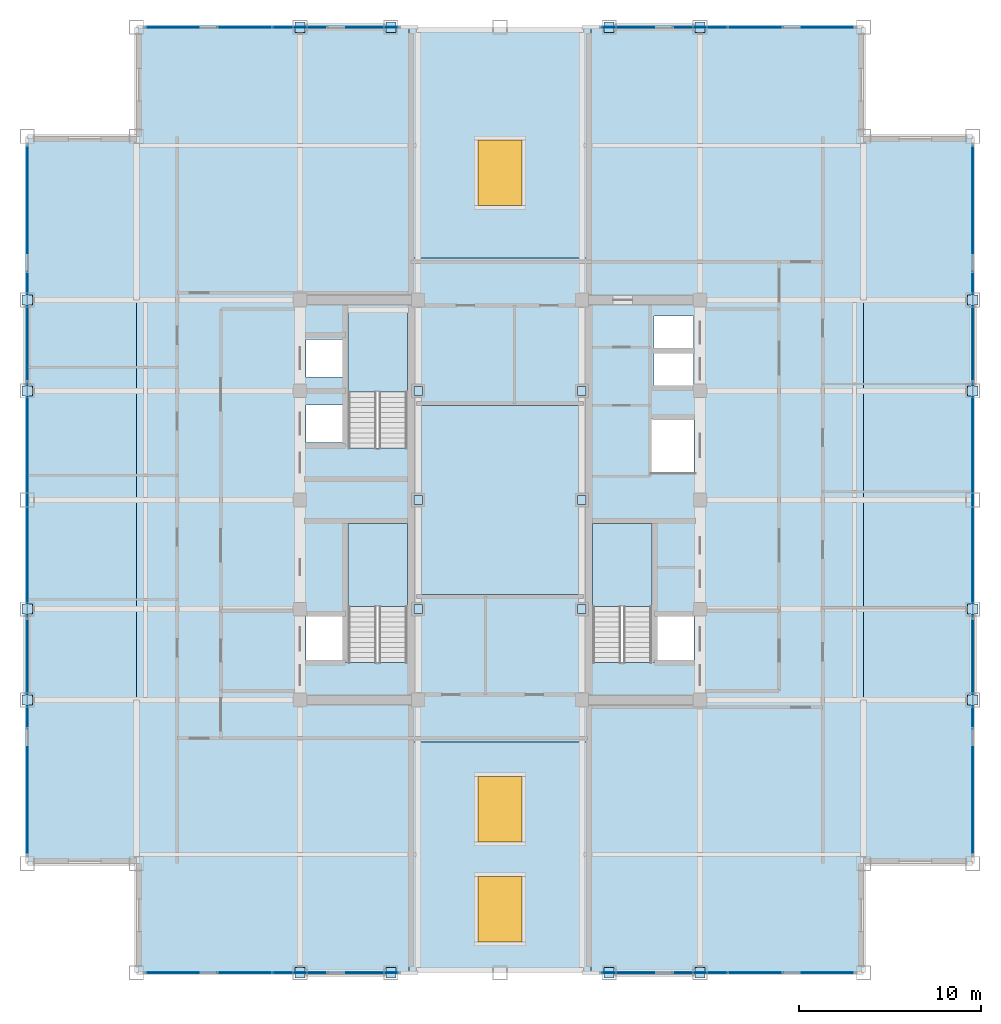
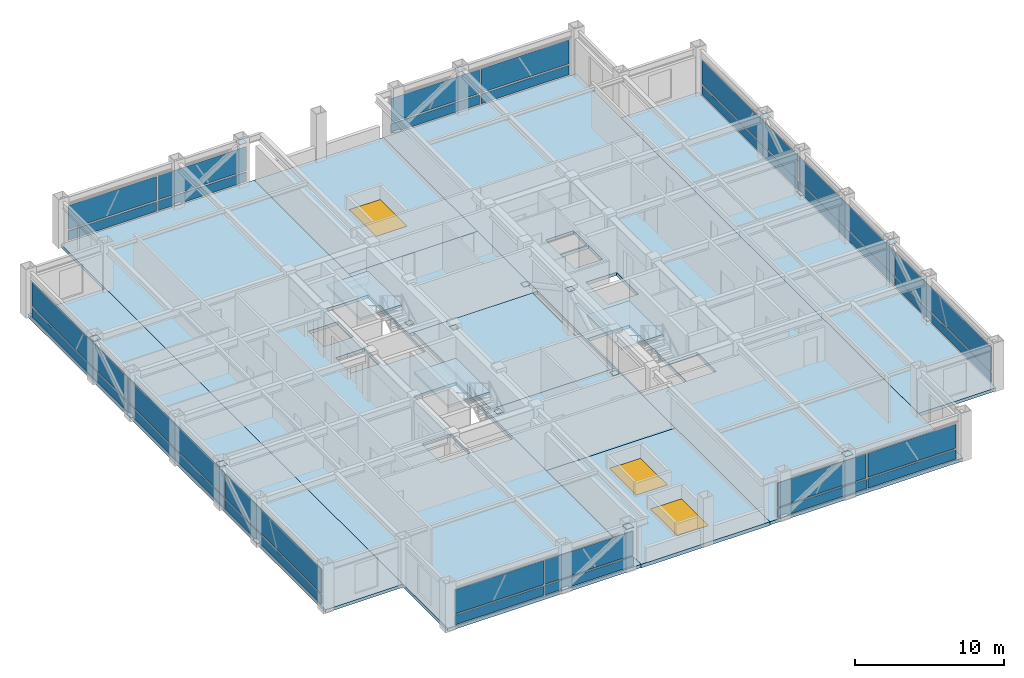
# One storey, part 24 of 29: 50 plates, 12 slabs, 3 windows, 3 openings, 9 elements without a shape of their own.
"""IFC4 building model written with IfcOpenShell, lengths in metres."""

import ifcopenshell
import ifcopenshell.guid

model = None  # the IFC model being written
_history = None  # IfcOwnerHistory: only IFC2X3 demands one
_inside = {}  # id of a spatial element -> (the spatial element, [elements in it])
_under = {}  # id of a project, library or spatial element -> (it, [spatial elements below it])
_declared = {}  # id of a project -> (the project, [libraries it declares])
_typed = {}  # id of a type object -> (the type object, [elements of that type])
_made_of = {}  # id of a material, layer set ... -> (it, [elements and type objects made of it])


def new_model(schema):
    """Start an empty IFC model of exactly this schema.

    Asked for "IFC4X3", IfcOpenShell would pick the latest addendum, in which some entities
    have other attributes; the version numbers below select the first issue.
    IFC2X3 requires an IfcOwnerHistory on every rooted entity: one is made here for all.
    """
    global model, _history
    if schema == "IFC4X3":
        model = ifcopenshell.file(schema_version=(4, 3, 0, 0))
    else:
        model = ifcopenshell.file(schema=schema)
    _inside.clear()
    _under.clear()
    _declared.clear()
    _typed.clear()
    _made_of.clear()
    _history = None
    if model.schema == "IFC2X3":
        org = make("IfcOrganization", Name="unknown")
        user = make(
            "IfcPersonAndOrganization",
            ThePerson=make("IfcPerson", FamilyName="unknown"),
            TheOrganization=org,
        )
        app = make(
            "IfcApplication",
            ApplicationDeveloper=org,
            Version="unknown",
            ApplicationFullName="unknown",
            ApplicationIdentifier="unknown",
        )
        _history = make(
            "IfcOwnerHistory",
            OwningUser=user,
            OwningApplication=app,
            ChangeAction="ADDED",
            CreationDate=0,
        )
    return model


def make(cls, **values):
    """One entity of the class cls with the attributes given. An attribute that is None is left unset."""
    return model.create_entity(
        cls, **{name: value for name, value in values.items() if value is not None}
    )


def rooted(cls, **values):
    """An entity with a GlobalId (a new one), such as an element, a storey or a relation."""
    return make(cls, GlobalId=ifcopenshell.guid.new(), OwnerHistory=_history, **values)


def si_unit(unit_type, name, prefix=None):
    """IfcSIUnit, for example si_unit("LENGTHUNIT", "METRE", prefix="MILLI")."""
    return make("IfcSIUnit", UnitType=unit_type, Prefix=prefix, Name=name)


def assignment(units):
    """IfcUnitAssignment: the units of a project."""
    return None if units is None else make("IfcUnitAssignment", Units=units)


def point(xyz):
    """IfcCartesianPoint."""
    return None if xyz is None else make("IfcCartesianPoint", Coordinates=xyz)


def direction(xyz):
    """IfcDirection."""
    return None if xyz is None else make("IfcDirection", DirectionRatios=xyz)


def frame(location, z_axis=None, x_axis=None):
    """IfcAxis2Placement3D, a coordinate frame: its origin and axes. An axis left out is left unset."""
    return make(
        "IfcAxis2Placement3D",
        Location=point(location),
        Axis=direction(z_axis),
        RefDirection=direction(x_axis),
    )


def frame_2d(location, x_axis=None):
    """IfcAxis2Placement2D, a coordinate frame in the plane: its origin and x axis."""
    return make(
        "IfcAxis2Placement2D", Location=point(location), RefDirection=direction(x_axis)
    )


def origin():
    """The frame at (0, 0, 0) with its axes left unset."""
    return frame((0.0, 0.0, 0.0))


def origin_2d():
    """The frame at (0, 0) in the plane with its x axis left unset."""
    return frame_2d((0.0, 0.0))


def place(relative_to, where):
    """IfcLocalPlacement: puts the frame where relative to a parent placement (None: the world)."""
    return make(
        "IfcLocalPlacement", PlacementRelTo=relative_to, RelativePlacement=where
    )


def context(
    kind, dimensions, precision=None, world=None, true_north=None, identifier=None
):
    """IfcGeometricRepresentationContext, for example the 3D "Model" context."""
    return make(
        "IfcGeometricRepresentationContext",
        ContextIdentifier=identifier,
        ContextType=kind,
        CoordinateSpaceDimension=dimensions,
        Precision=precision,
        WorldCoordinateSystem=world,
        TrueNorth=true_north,
    )


def subcontext(parent, identifier, kind, view, scale=None):
    """IfcGeometricRepresentationSubContext, for example "Body" below "Model"."""
    return make(
        "IfcGeometricRepresentationSubContext",
        ContextIdentifier=identifier,
        ContextType=kind,
        ParentContext=parent,
        TargetScale=scale,
        TargetView=view,
    )


def project(units=None, contexts=None):
    """IfcProject with its units and contexts."""
    return rooted(
        "IfcProject",
        Name="project",
        RepresentationContexts=contexts,
        UnitsInContext=assignment(units),
    )


def spatial(cls, under=None, at=None, **own):
    """A site, building, storey or space (cls), placed at a placement, below another one or the project."""
    s = rooted(cls, ObjectPlacement=at, **own)
    if under is not None:
        _under.setdefault(under.id(), (under, []))[1].append(s)
    return s


def polyline(points):
    """IfcPolyline through the points."""
    return make("IfcPolyline", Points=[point(p) for p in points])


def profile(cls, at=None, kind="AREA", **sizes):
    """A parametric profile (cls). Its sizes go by their IFC names, for example OverallWidth=200.0."""
    return make(cls, ProfileType=kind, Position=at, **sizes)


def rectangle(**sizes):
    """IfcRectangleProfileDef."""
    return profile("IfcRectangleProfileDef", **sizes)


def outline(outer, holes=None, kind="AREA"):
    """IfcArbitraryClosedProfileDef: a profile drawn as a closed curve; with holes, ...WithVoids."""
    if holes is None:
        return make("IfcArbitraryClosedProfileDef", ProfileType=kind, OuterCurve=outer)
    return make(
        "IfcArbitraryProfileDefWithVoids",
        ProfileType=kind,
        OuterCurve=outer,
        InnerCurves=holes,
    )


def extrude(swept, where, along, depth):
    """IfcExtrudedAreaSolid: the profile swept, set in the frame where, extruded along a direction by depth."""
    return make(
        "IfcExtrudedAreaSolid",
        SweptArea=swept,
        Position=where,
        ExtrudedDirection=direction(along),
        Depth=depth,
    )


def shape(context_of_items, identifier, shape_type, items):
    """IfcShapeRepresentation: the items that make up one representation, for example the "Body"."""
    return make(
        "IfcShapeRepresentation",
        ContextOfItems=context_of_items,
        RepresentationIdentifier=identifier,
        RepresentationType=shape_type,
        Items=items,
    )


def source(mapping_origin, context_of_items, identifier, shape_type, items):
    """IfcRepresentationMap: a shape defined once, which mapped items show again and again."""
    return make(
        "IfcRepresentationMap",
        MappingOrigin=mapping_origin,
        MappedRepresentation=shape(context_of_items, identifier, shape_type, items),
    )


def transform(
    local_origin,
    x_axis=None,
    y_axis=None,
    z_axis=None,
    scale=None,
    scale2=None,
    scale3=None,
    uniform=True,
):
    """IfcCartesianTransformationOperator3D, or its non-uniform kind. x_axis, y_axis, z_axis: its Axis1, 2, 3."""
    if uniform:
        return make(
            "IfcCartesianTransformationOperator3D",
            Axis1=direction(x_axis),
            Axis2=direction(y_axis),
            LocalOrigin=point(local_origin),
            Scale=scale,
            Axis3=direction(z_axis),
        )
    return make(
        "IfcCartesianTransformationOperator3DnonUniform",
        Axis1=direction(x_axis),
        Axis2=direction(y_axis),
        LocalOrigin=point(local_origin),
        Scale=scale,
        Axis3=direction(z_axis),
        Scale2=scale2,
        Scale3=scale3,
    )


def mapped(mapping_source, mapping_target):
    """IfcMappedItem: shows the shape of a source again, moved by a transform."""
    return make(
        "IfcMappedItem", MappingSource=mapping_source, MappingTarget=mapping_target
    )


def material(Name=None, Category=None):
    """IfcMaterial."""
    return make("IfcMaterial", Name=Name, Category=Category)


def layer(
    of_material, thickness, ventilated=None, Name=None, Category=None, Priority=None
):
    """IfcMaterialLayer: one layer of a wall or slab, of a material (None: an air gap)."""
    return make(
        "IfcMaterialLayer",
        Material=of_material,
        LayerThickness=thickness,
        IsVentilated=ventilated,
        Name=Name,
        Category=Category,
        Priority=Priority,
    )


def layer_set(layers, Name=None):
    """IfcMaterialLayerSet."""
    return make("IfcMaterialLayerSet", MaterialLayers=layers, LayerSetName=Name)


def made_of(thing, what):
    """Note that an element or type object is made of a material, layer set ...; save() writes the relation."""
    if what is not None:
        _made_of.setdefault(what.id(), (what, []))[1].append(thing)
    return thing


def type_object(cls, material=None, **own):
    """A type object (cls), such as IfcWallType, which elements share."""
    return made_of(rooted(cls, **own), material)


def element(
    cls,
    number,
    at=None,
    inside=None,
    cuts=None,
    type_object=None,
    material=None,
    context=None,
    identifier="Body",
    shape_type=None,
    held_by="IfcProductDefinitionShape",
    body=None,
    shapes=None,
    **own,
):
    """One element of the class cls, such as IfcWall. Its Tag is "e" and its number.

    at: its placement. inside: the storey or other place that contains it. cuts: it is an
    opening in that element (IfcRelVoidsElement). A single representation is given by context,
    identifier, shape_type and body (its items); several are given by shapes. held_by: the class
    of the entity that holds the representations. save() writes the other relations.
    """
    e = rooted(cls, Tag="e%d" % number, ObjectPlacement=at, **own)
    if body is not None:
        shapes = [shape(context, identifier, shape_type, body)]
    if shapes is not None:
        e.Representation = make(held_by, Representations=shapes)
    if inside is not None:
        _inside.setdefault(inside.id(), (inside, []))[1].append(e)
    if cuts is not None:
        rooted(
            "IfcRelVoidsElement", RelatingBuildingElement=cuts, RelatedOpeningElement=e
        )
    if type_object is not None:
        _typed.setdefault(type_object.id(), (type_object, []))[1].append(e)
    return made_of(e, material)


def fill(opening, filler):
    """IfcRelFillsElement: the door or window that sits in an opening."""
    return rooted(
        "IfcRelFillsElement",
        RelatingOpeningElement=opening,
        RelatedBuildingElement=filler,
    )


def aggregate(whole, parts):
    """IfcRelAggregates: a whole, such as a stair, and the parts it consists of."""
    return rooted("IfcRelAggregates", RelatingObject=whole, RelatedObjects=parts)


def save(model, path):
    """Write the relations noted so far, then the file.

    IfcRelAggregates (storeys below a building ...), IfcRelContainedInSpatialStructure (elements
    in a storey), IfcRelDefinesByType, IfcRelAssociatesMaterial and IfcRelDeclares: one each for
    every whole, place, type object, material and project.
    """
    for whole, parts in _under.values():
        aggregate(whole, parts)
    for where, things in _inside.values():
        rooted(
            "IfcRelContainedInSpatialStructure",
            RelatedElements=things,
            RelatingStructure=where,
        )
    for kind, things in _typed.values():
        rooted("IfcRelDefinesByType", RelatedObjects=things, RelatingType=kind)
    for what, things in _made_of.values():
        rooted("IfcRelAssociatesMaterial", RelatedObjects=things, RelatingMaterial=what)
    for by, libraries in _declared.values():
        rooted("IfcRelDeclares", RelatingContext=by, RelatedDefinitions=libraries)
    model.write(path)


model = new_model("IFC4")

# Units and contexts
model_context = context("Model", 3, precision=1e-05, world=origin(), true_north=direction((0.0, 1.0)))
body_context = subcontext(model_context, "Body", "Model", "MODEL_VIEW")
ifc_project = project(units=[si_unit("LENGTHUNIT", "METRE"), si_unit("AREAUNIT", "SQUARE_METRE"), si_unit("VOLUMEUNIT", "CUBIC_METRE"), si_unit("PLANEANGLEUNIT", "RADIAN"), si_unit("MASSUNIT", "GRAM", prefix="KILO")], contexts=[model_context])

# Site, building, storey
site_placement = place(None, origin())
site = spatial("IfcSite", under=ifc_project, at=site_placement, CompositionType="ELEMENT")
building_placement = place(site_placement, origin())
building = spatial("IfcBuilding", under=site, at=building_placement, Name="Khorayat Bourse Tower", CompositionType="ELEMENT")
storey_placement = place(building_placement, frame((0.0, 0.0, 346.300048828125)))
storey = spatial("IfcBuildingStorey", under=building, at=storey_placement, Name="L82", CompositionType="ELEMENT", Elevation=346.300048828125)

# Stair, slab
ifc_material_1 = material(Name="Concrete C40/50", Category="concrete")
stair_type = type_object("IfcStairType", Name="STR-CORE-1550", PredefinedType="HALF_TURN_STAIR", material=ifc_material_1)
stair_1_placement = place(storey_placement, origin())
stair_1 = element("IfcStair", 1, at=stair_1_placement, inside=storey, type_object=stair_type, Name="L82 Exit Stair ST-1", PredefinedType="HALF_TURN_STAIR")
ifc_layer_1 = layer(ifc_material_1, 0.199951171875)
ifc_layer_set_1 = layer_set([ifc_layer_1], Name="Concrete C40/50")
slab_type_1 = type_object("IfcSlabType", Name="SLB-LANDING-200", PredefinedType="LANDING", material=ifc_layer_set_1)
slab_1_placement = place(storey_placement, frame((0.0, 0.0, 1.800048828125)))
slab_1 = element("IfcSlab", 2, at=slab_1_placement, type_object=slab_type_1, Name="ST-1 landing 1", PredefinedType="LANDING", context=body_context, shape_type="SweptSolid", body=[
    extrude(outline(polyline([(-5.10009765625, -5.8701171875), (-5.10009765625, -1.300048828125), (-8.35009765625, -1.300048828125), (-8.35009765625, -5.8701171875), (-5.10009765625, -5.8701171875)])), origin(), (0.0, 0.0, 1.0), 0.199951171875),
])
aggregate(stair_1, [slab_1])

stair_2_placement = place(storey_placement, origin())
stair_2 = element("IfcStair", 3, at=stair_2_placement, inside=storey, type_object=stair_type, Name="L82 Exit Stair ST-2", PredefinedType="HALF_TURN_STAIR")
slab_2_placement = place(storey_placement, frame((0.0, 0.0, 1.800048828125)))
slab_2 = element("IfcSlab", 4, at=slab_2_placement, type_object=slab_type_1, Name="ST-2 landing 1", PredefinedType="LANDING", context=body_context, shape_type="SweptSolid", body=[
    extrude(outline(polyline([(-5.10009765625, 5.929931640625), (-5.10009765625, 10.5), (-8.35009765625, 10.5), (-8.35009765625, 5.929931640625), (-5.10009765625, 5.929931640625)])), origin(), (0.0, 0.0, 1.0), 0.199951171875),
])
aggregate(stair_2, [slab_2])

stair_3_placement = place(storey_placement, origin())
stair_3 = element("IfcStair", 5, at=stair_3_placement, inside=storey, type_object=stair_type, Name="L82 Exit Stair ST-3", PredefinedType="HALF_TURN_STAIR")
slab_3_placement = place(storey_placement, frame((0.0, 0.0, 1.800048828125)))
slab_3 = element("IfcSlab", 6, at=slab_3_placement, type_object=slab_type_1, Name="ST-3 landing 1", PredefinedType="LANDING", context=body_context, shape_type="SweptSolid", body=[
    extrude(outline(polyline([(8.35009765625, -5.8701171875), (8.35009765625, -1.300048828125), (5.10009765625, -1.300048828125), (5.10009765625, -5.8701171875), (8.35009765625, -5.8701171875)])), origin(), (0.0, 0.0, 1.0), 0.199951171875),
])
aggregate(stair_3, [slab_3])

# Slab, openings, windows
ifc_layer_2 = layer(ifc_material_1, 0.300048828125)
ifc_layer_set_2 = layer_set([ifc_layer_2], Name="Concrete C40/50")
slab_type_2 = type_object("IfcSlabType", Name="SLB-ROOF-300", PredefinedType="ROOF", material=ifc_layer_set_2)
slab_4_placement = place(storey_placement, frame((0.0, 0.0, -0.300048828125)))
slab_4 = element("IfcSlab", 7, at=slab_4_placement, inside=storey, type_object=slab_type_2, Name="L82 Wind Portal Weatherproof Base Deck Slab S", PredefinedType="ROOF", context=body_context, shape_type="SweptSolid", body=[
    extrude(outline(polyline([(-5.0, -26.0), (5.0, -26.0), (5.0, -13.300048828125), (-5.0, -13.300048828125), (-5.0, -26.0)]), holes=[polyline([(-1.199951171875, -24.300048828125), (1.199951171875, -24.300048828125), (1.199951171875, -20.699951171875), (-1.199951171875, -20.699951171875), (-1.199951171875, -24.300048828125)]), polyline([(-1.199951171875, -18.800048828125), (1.199951171875, -18.800048828125), (1.199951171875, -15.199951171875), (-1.199951171875, -15.199951171875), (-1.199951171875, -18.800048828125)])]), origin(), (0.0, 0.0, 1.0), 0.300048828125),
])
opening_1_placement = place(slab_4_placement, frame((0.0, -22.5, 0.0)))
opening_1 = element("IfcOpeningElement", 8, at=opening_1_placement, cuts=slab_4, Name="Opening SK-02", PredefinedType="OPENING", context=body_context, shape_type="SweptSolid", body=[
    extrude(rectangle(XDim=2.39990234375, YDim=3.60009765625, at=origin_2d()), origin(), (0.0, 0.0, 1.0), 0.300048828125),
])
opening_2_placement = place(slab_4_placement, frame((0.0, -17.0, 0.0)))
opening_2 = element("IfcOpeningElement", 9, at=opening_2_placement, cuts=slab_4, Name="Opening SK-02", PredefinedType="OPENING", context=body_context, shape_type="SweptSolid", body=[
    extrude(rectangle(XDim=2.39990234375, YDim=3.60009765625, at=origin_2d()), origin(), (0.0, 0.0, 1.0), 0.300048828125),
])
ifc_material_2 = material(Name="Ceramic-fritted insulated rooflight glass", Category="glass")
window_type = type_object("IfcWindowType", Name="SKY-TERR-2400x3600", PartitioningType="SINGLE_PANEL", PredefinedType="SKYLIGHT", material=ifc_material_2)
window_1_placement = place(opening_1_placement, frame((0.0, 0.0, 0.25)))
window_1 = element("IfcWindow", 10, at=window_1_placement, inside=storey, type_object=window_type, Name="L82 Roof Lantern Skylight SKY-ROOF-W", OverallHeight=3.60009765625, OverallWidth=2.39990234375, PartitioningType="SINGLE_PANEL", PredefinedType="SKYLIGHT", context=body_context, shape_type="SweptSolid", body=[
    extrude(rectangle(XDim=2.39990234375, YDim=3.60009765625, at=origin_2d()), origin(), (0.0, 0.0, 1.0), 0.050048828125),
])
fill(opening_1, window_1)
window_2_placement = place(opening_2_placement, frame((0.0, 0.0, 0.25)))
window_2 = element("IfcWindow", 11, at=window_2_placement, inside=storey, type_object=window_type, Name="L82 Roof Lantern Skylight SKY-ROOF-E", OverallHeight=3.60009765625, OverallWidth=2.39990234375, PartitioningType="SINGLE_PANEL", PredefinedType="SKYLIGHT", context=body_context, shape_type="SweptSolid", body=[
    extrude(rectangle(XDim=2.39990234375, YDim=3.60009765625, at=origin_2d()), origin(), (0.0, 0.0, 1.0), 0.050048828125),
])
fill(opening_2, window_2)

# Slab
slab_5_placement = place(storey_placement, frame((0.0, 0.0, -0.300048828125)))
element("IfcSlab", 12, at=slab_5_placement, inside=storey, type_object=slab_type_2, Name="L82 Wind Portal Weatherproof Base Deck Slab M", PredefinedType="ROOF", context=body_context, shape_type="SweptSolid", body=[
    extrude(outline(polyline([(-4.60009765625, -5.199951171875), (4.60009765625, -5.199951171875), (4.60009765625, 5.199951171875), (-4.60009765625, 5.199951171875), (-4.60009765625, -5.199951171875)])), origin(), (0.0, 0.0, 1.0), 0.300048828125),
])

# Slab, opening, window
slab_6_placement = place(storey_placement, frame((0.0, 0.0, -0.300048828125)))
slab_6 = element("IfcSlab", 13, at=slab_6_placement, inside=storey, type_object=slab_type_2, Name="L82 Wind Portal Weatherproof Base Deck Slab N", PredefinedType="ROOF", context=body_context, shape_type="SweptSolid", body=[
    extrude(outline(polyline([(-5.0, 13.300048828125), (5.0, 13.300048828125), (5.0, 26.0), (-5.0, 26.0), (-5.0, 13.300048828125)]), holes=[polyline([(-1.199951171875, 16.199951171875), (1.199951171875, 16.199951171875), (1.199951171875, 19.800048828125), (-1.199951171875, 19.800048828125), (-1.199951171875, 16.199951171875)])]), origin(), (0.0, 0.0, 1.0), 0.300048828125),
])
opening_3_placement = place(slab_6_placement, frame((0.0, 18.0, 0.0)))
opening_3 = element("IfcOpeningElement", 14, at=opening_3_placement, cuts=slab_6, Name="Opening SK-02", PredefinedType="OPENING", context=body_context, shape_type="SweptSolid", body=[
    extrude(rectangle(XDim=2.39990234375, YDim=3.60009765625, at=origin_2d()), origin(), (0.0, 0.0, 1.0), 0.300048828125),
])
window_3_placement = place(opening_3_placement, frame((0.0, 0.0, 0.25)))
window_3 = element("IfcWindow", 15, at=window_3_placement, inside=storey, type_object=window_type, Name="L82 Roof Lantern Skylight SKY-ROOF-N", OverallHeight=3.60009765625, OverallWidth=2.39990234375, PartitioningType="SINGLE_PANEL", PredefinedType="SKYLIGHT", context=body_context, shape_type="SweptSolid", body=[
    extrude(rectangle(XDim=2.39990234375, YDim=3.60009765625, at=origin_2d()), origin(), (0.0, 0.0, 1.0), 0.050048828125),
])
fill(opening_3, window_3)

# Slabs
ifc_layer_3 = layer(ifc_material_1, 0.260009765625)
ifc_layer_set_3 = layer_set([ifc_layer_3], Name="Concrete C40/50")
slab_type_3 = type_object("IfcSlabType", Name="SLB-TRADE-260", PredefinedType="FLOOR", material=ifc_layer_set_3)
slab_7_placement = place(storey_placement, frame((0.0, 0.0, -0.260009765625)))
element("IfcSlab", 16, at=slab_7_placement, inside=storey, type_object=slab_type_3, Name="L82 Portal Wing Floor Slab W-MAIN", PredefinedType="FLOOR", context=body_context, shape_type="SweptSolid", body=[
    extrude(outline(polyline([(-20.0, -26.0), (-5.0, -26.0), (-5.0, 26.0), (-20.0, 26.0), (-20.0, -26.0)]), holes=[polyline([(-8.35009765625, -8.945068359375), (-5.10009765625, -8.945068359375), (-5.10009765625, -1.300048828125), (-8.35009765625, -1.300048828125), (-8.35009765625, -8.945068359375)]), polyline([(-8.35009765625, 2.85498046875), (-5.10009765625, 2.85498046875), (-5.10009765625, 10.5), (-8.35009765625, 10.5), (-8.35009765625, 2.85498046875)]), polyline([(-10.679931640625, 3.169921875), (-8.419921875, 3.169921875), (-8.419921875, 5.22998046875), (-10.679931640625, 5.22998046875), (-10.679931640625, 3.169921875)]), polyline([(-10.679931640625, 6.77001953125), (-8.419921875, 6.77001953125), (-8.419921875, 8.830078125), (-10.679931640625, 8.830078125), (-10.679931640625, 6.77001953125)]), polyline([(-10.679931640625, -8.929931640625), (-8.419921875, -8.929931640625), (-8.419921875, -6.3701171875), (-10.679931640625, -6.3701171875), (-10.679931640625, -8.929931640625)])]), origin(), (0.0, 0.0, 1.0), 0.260009765625),
])
slab_8_placement = place(storey_placement, frame((0.0, 0.0, -0.260009765625)))
element("IfcSlab", 17, at=slab_8_placement, inside=storey, type_object=slab_type_3, Name="L82 Portal Wing Floor Slab W-FLG", PredefinedType="FLOOR", context=body_context, shape_type="SweptSolid", body=[
    extrude(outline(polyline([(-26.0, -20.0), (-20.0, -20.0), (-20.0, 20.0), (-26.0, 20.0), (-26.0, -20.0)])), origin(), (0.0, 0.0, 1.0), 0.260009765625),
])
slab_9_placement = place(storey_placement, frame((0.0, 0.0, -0.260009765625)))
element("IfcSlab", 18, at=slab_9_placement, inside=storey, type_object=slab_type_3, Name="L82 Portal Wing Floor Slab E-MAIN", PredefinedType="FLOOR", context=body_context, shape_type="SweptSolid", body=[
    extrude(outline(polyline([(5.0, -26.0), (20.0, -26.0), (20.0, 26.0), (5.0, 26.0), (5.0, -26.0)]), holes=[polyline([(5.10009765625, -8.945068359375), (8.35009765625, -8.945068359375), (8.35009765625, -1.300048828125), (5.10009765625, -1.300048828125), (5.10009765625, -8.945068359375)]), polyline([(8.469970703125, 6.27001953125), (10.6298828125, 6.27001953125), (10.6298828125, 8.1298828125), (8.469970703125, 8.1298828125), (8.469970703125, 6.27001953125)]), polyline([(8.469970703125, 8.27001953125), (10.6298828125, 8.27001953125), (10.6298828125, 10.1298828125), (8.469970703125, 10.1298828125), (8.469970703125, 8.27001953125)]), polyline([(8.419921875, -8.929931640625), (10.679931640625, -8.929931640625), (10.679931640625, -6.3701171875), (8.419921875, -6.3701171875), (8.419921875, -8.929931640625)]), polyline([(8.320068359375, 1.52001953125), (10.679931640625, 1.52001953125), (10.679931640625, 4.47998046875), (8.320068359375, 4.47998046875), (8.320068359375, 1.52001953125)])]), origin(), (0.0, 0.0, 1.0), 0.260009765625),
])
slab_10_placement = place(storey_placement, frame((0.0, 0.0, -0.260009765625)))
element("IfcSlab", 19, at=slab_10_placement, inside=storey, type_object=slab_type_3, Name="L82 Portal Wing Floor Slab E-FLG", PredefinedType="FLOOR", context=body_context, shape_type="SweptSolid", body=[
    extrude(outline(polyline([(20.0, -20.0), (26.0, -20.0), (26.0, 20.0), (20.0, 20.0), (20.0, -20.0)])), origin(), (0.0, 0.0, 1.0), 0.260009765625),
])
slab_11_placement = place(storey_placement, frame((0.0, 0.0, -0.260009765625)))
element("IfcSlab", 20, at=slab_11_placement, inside=storey, type_object=slab_type_3, Name="L82 Portal Wing Floor Slab BRG-S", PredefinedType="FLOOR", context=body_context, shape_type="SweptSolid", body=[
    extrude(outline(polyline([(-5.0, -13.300048828125), (5.0, -13.300048828125), (5.0, -5.199951171875), (-5.0, -5.199951171875), (-5.0, -13.300048828125)])), origin(), (0.0, 0.0, 1.0), 0.260009765625),
])
slab_12_placement = place(storey_placement, frame((0.0, 0.0, -0.260009765625)))
element("IfcSlab", 21, at=slab_12_placement, inside=storey, type_object=slab_type_3, Name="L82 Portal Wing Floor Slab BRG-N", PredefinedType="FLOOR", context=body_context, shape_type="SweptSolid", body=[
    extrude(outline(polyline([(-5.0, 5.199951171875), (5.0, 5.199951171875), (5.0, 13.300048828125), (-5.0, 13.300048828125), (-5.0, 5.199951171875)])), origin(), (0.0, 0.0, 1.0), 0.260009765625),
])

# Plates
ifc_material_3 = material(Name="Steel EN 10025-2 S355J2", Category="steel")
ifc_layer_4 = layer(ifc_material_3, 0.02490234375)
ifc_layer_set_4 = layer_set([ifc_layer_4], Name="Steel EN 10025-2 S355J2")
plate_type_1 = type_object("IfcPlateType", Name="PLT-ENDCAP-25", PredefinedType="SHEET", material=ifc_layer_set_4)
shared_shape_1 = source(origin(), body_context, "Body", "SweptSolid", [
    extrude(rectangle(XDim=0.56005859375, YDim=0.56005859375, at=origin_2d()), origin(), (0.0, 0.0, 1.0), 0.02490234375),
])
for number, where, z_axis, x_axis, name in (
    (22, (-11.0, -26.0, 0.237548828125), (0.0, 0.0, 1.0), (1.0, 0.0, 0.0), "L82 Perimeter Brace End Plate 001"),
    (23, (-6.0, -26.0, 3.4775390625), (0.0, 0.0, 1.0), (1.0, 0.0, 0.0), "L82 Perimeter Brace End Plate 002"),
    (24, (6.0, -26.0, 0.237548828125), (0.0, 0.0, 1.0), (1.0, 0.0, 0.0), "L82 Perimeter Brace End Plate 003"),
    (25, (11.0, -26.0, 3.4775390625), (0.0, 0.0, 1.0), (1.0, 0.0, 0.0), "L82 Perimeter Brace End Plate 004"),
    (26, (-11.0, 26.0, 0.237548828125), (0.0, 0.0, 1.0), (1.0, 0.0, 0.0), "L82 Perimeter Brace End Plate 005"),
    (27, (-6.0, 26.0, 3.4775390625), (0.0, 0.0, 1.0), (1.0, 0.0, 0.0), "L82 Perimeter Brace End Plate 006"),
    (28, (6.0, 26.0, 0.237548828125), (0.0, 0.0, 1.0), (1.0, 0.0, 0.0), "L82 Perimeter Brace End Plate 007"),
    (29, (11.0, 26.0, 3.4775390625), (0.0, 0.0, 1.0), (1.0, 0.0, 0.0), "L82 Perimeter Brace End Plate 008"),
    (30, (-26.0, -11.0, 0.237548828125), (0.0, 0.0, 1.0), (1.0, 0.0, 0.0), "L82 Perimeter Brace End Plate 009"),
    (31, (-26.0, -6.0, 3.4775390625), (0.0, 0.0, 1.0), (1.0, 0.0, 0.0), "L82 Perimeter Brace End Plate 010"),
    (32, (-26.0, 6.0, 0.237548828125), (0.0, 0.0, 1.0), (1.0, 0.0, 0.0), "L82 Perimeter Brace End Plate 011"),
    (33, (-26.0, 11.0, 3.4775390625), (0.0, 0.0, 1.0), (1.0, 0.0, 0.0), "L82 Perimeter Brace End Plate 012"),
    (34, (26.0, -11.0, 0.237548828125), (0.0, 0.0, 1.0), (1.0, 0.0, 0.0), "L82 Perimeter Brace End Plate 013"),
    (35, (26.0, -6.0, 3.4775390625), (0.0, 0.0, 1.0), (1.0, 0.0, 0.0), "L82 Perimeter Brace End Plate 014"),
    (36, (26.0, 6.0, 0.237548828125), (0.0, 0.0, 1.0), (1.0, 0.0, 0.0), "L82 Perimeter Brace End Plate 015"),
    (37, (26.0, 11.0, 3.4775390625), (0.0, 0.0, 1.0), (1.0, 0.0, 0.0), "L82 Perimeter Brace End Plate 016"),
):
    element("IfcPlate", number, at=place(storey_placement, frame(where, z_axis=z_axis, x_axis=x_axis)), inside=storey, type_object=plate_type_1, Name=name, PredefinedType="SHEET", context=body_context, shape_type="MappedRepresentation", body=[
        mapped(shared_shape_1, transform((0.0, 0.0, 0.0), scale=1.0)),
    ])
shared_shape_2 = source(origin(), body_context, "Body", "SweptSolid", [
    extrude(rectangle(XDim=0.47998046875, YDim=0.47998046875, at=origin_2d()), origin(), (0.0, 0.0, 1.0), 0.02490234375),
])
for number, where, z_axis, x_axis, name in (
    (38, (-4.5, -6.0, 0.237548828125), (0.0, 0.0, 1.0), (1.0, 0.0, 0.0), "L82 Wind Portal Strut End Plate 017"),
    (39, (-4.5, 0.0, 3.4775390625), (0.0, 0.0, 1.0), (1.0, 0.0, 0.0), "L82 Wind Portal Strut End Plate 018"),
    (40, (-4.5, 6.0, 0.237548828125), (0.0, 0.0, 1.0), (1.0, 0.0, 0.0), "L82 Wind Portal Strut End Plate 019"),
    (41, (4.5, -6.0, 0.237548828125), (0.0, 0.0, 1.0), (1.0, 0.0, 0.0), "L82 Wind Portal Strut End Plate 020"),
    (42, (4.5, 0.0, 3.4775390625), (0.0, 0.0, 1.0), (1.0, 0.0, 0.0), "L82 Wind Portal Strut End Plate 021"),
    (43, (4.5, 6.0, 0.237548828125), (0.0, 0.0, 1.0), (1.0, 0.0, 0.0), "L82 Wind Portal Strut End Plate 022"),
):
    element("IfcPlate", number, at=place(storey_placement, frame(where, z_axis=z_axis, x_axis=x_axis)), inside=storey, type_object=plate_type_1, Name=name, PredefinedType="SHEET", context=body_context, shape_type="MappedRepresentation", body=[
        mapped(shared_shape_2, transform((0.0, 0.0, 0.0), scale=1.0)),
    ])

# Curtain wall, plates
ifc_material_4 = material(Name="Aluminium EN AW-6063 T6", Category="aluminium")
curtain_wall_type = type_object("IfcCurtainWallType", Name="CW-SYS-06", PredefinedType="NOTDEFINED", material=ifc_material_4)
curtain_wall_1_placement = place(storey_placement, origin())
curtain_wall_1 = element("IfcCurtainWall", 44, at=curtain_wall_1_placement, inside=storey, type_object=curtain_wall_type, Name="L82 Curtain Wall CW-L82-S1", PredefinedType="NOTDEFINED")
ifc_material_5 = material(Name="Honed desert limestone insulated spandrel", Category="masonry")
ifc_layer_5 = layer(ifc_material_5, 0.06494140625)
ifc_layer_set_5 = layer_set([ifc_layer_5], Name="Honed desert limestone insulated spandrel")
plate_type_2 = type_object("IfcPlateType", Name="CWP-SPAND-03", PredefinedType="CURTAIN_PANEL", material=ifc_layer_set_5)
shared_shape_3 = source(origin(), body_context, "Body", "SweptSolid", [
    extrude(rectangle(XDim=6.844970703125, YDim=0.06494140625, at=origin_2d()), origin(), (0.0, 0.0, 1.0), 0.77001953125),
])
plate_1_placement = place(storey_placement, frame((-16.007568359375, -26.0, 0.119873046875), z_axis=(0.0, 0.0, 1.0), x_axis=(1.0, 0.0, 0.0)))
plate_1 = element("IfcPlate", 45, at=plate_1_placement, type_object=plate_type_2, Name="CW-L82-S1 Spandrel Panel 1-1", PredefinedType="CURTAIN_PANEL", context=body_context, shape_type="MappedRepresentation", body=[
    mapped(shared_shape_3, transform((0.0, 0.0, 0.0), scale=1.0)),
])
plate_2_placement = place(storey_placement, frame((-9.04248046875, -26.0, 0.119873046875), z_axis=(0.0, 0.0, 1.0), x_axis=(1.0, 0.0, 0.0)))
plate_2 = element("IfcPlate", 46, at=plate_2_placement, type_object=plate_type_2, Name="CW-L82-S1 Spandrel Panel 2-1", PredefinedType="CURTAIN_PANEL", context=body_context, shape_type="MappedRepresentation", body=[
    mapped(shared_shape_3, transform((0.0, 0.0, 0.0), scale=1.0)),
])

curtain_wall_2_placement = place(storey_placement, origin())
curtain_wall_2 = element("IfcCurtainWall", 47, at=curtain_wall_2_placement, inside=storey, type_object=curtain_wall_type, Name="L82 Curtain Wall CW-L82-S2", PredefinedType="NOTDEFINED")
plate_3_placement = place(storey_placement, frame((9.04248046875, -26.0, 0.119873046875), z_axis=(0.0, 0.0, 1.0), x_axis=(1.0, 0.0, 0.0)))
plate_3 = element("IfcPlate", 48, at=plate_3_placement, type_object=plate_type_2, Name="CW-L82-S2 Spandrel Panel 1-1", PredefinedType="CURTAIN_PANEL", context=body_context, shape_type="MappedRepresentation", body=[
    mapped(shared_shape_3, transform((0.0, 0.0, 0.0), scale=1.0)),
])
plate_4_placement = place(storey_placement, frame((16.007568359375, -26.0, 0.119873046875), z_axis=(0.0, 0.0, 1.0), x_axis=(1.0, 0.0, 0.0)))
plate_4 = element("IfcPlate", 49, at=plate_4_placement, type_object=plate_type_2, Name="CW-L82-S2 Spandrel Panel 2-1", PredefinedType="CURTAIN_PANEL", context=body_context, shape_type="MappedRepresentation", body=[
    mapped(shared_shape_3, transform((0.0, 0.0, 0.0), scale=1.0)),
])

curtain_wall_3_placement = place(storey_placement, origin())
curtain_wall_3 = element("IfcCurtainWall", 50, at=curtain_wall_3_placement, inside=storey, type_object=curtain_wall_type, Name="L82 Curtain Wall CW-L82-N1", PredefinedType="NOTDEFINED")
plate_5_placement = place(storey_placement, frame((-9.04248046875, 26.0, 0.119873046875), z_axis=(0.0, 0.0, 1.0), x_axis=(-1.0, 0.0, 0.0)))
plate_5 = element("IfcPlate", 51, at=plate_5_placement, type_object=plate_type_2, Name="CW-L82-N1 Spandrel Panel 1-1", PredefinedType="CURTAIN_PANEL", context=body_context, shape_type="MappedRepresentation", body=[
    mapped(shared_shape_3, transform((0.0, 0.0, 0.0), scale=1.0)),
])
plate_6_placement = place(storey_placement, frame((-16.007568359375, 26.0, 0.119873046875), z_axis=(0.0, 0.0, 1.0), x_axis=(-1.0, 0.0, 0.0)))
plate_6 = element("IfcPlate", 52, at=plate_6_placement, type_object=plate_type_2, Name="CW-L82-N1 Spandrel Panel 2-1", PredefinedType="CURTAIN_PANEL", context=body_context, shape_type="MappedRepresentation", body=[
    mapped(shared_shape_3, transform((0.0, 0.0, 0.0), scale=1.0)),
])

curtain_wall_4_placement = place(storey_placement, origin())
curtain_wall_4 = element("IfcCurtainWall", 53, at=curtain_wall_4_placement, inside=storey, type_object=curtain_wall_type, Name="L82 Curtain Wall CW-L82-N2", PredefinedType="NOTDEFINED")
plate_7_placement = place(storey_placement, frame((16.007568359375, 26.0, 0.119873046875), z_axis=(0.0, 0.0, 1.0), x_axis=(-1.0, 0.0, 0.0)))
plate_7 = element("IfcPlate", 54, at=plate_7_placement, type_object=plate_type_2, Name="CW-L82-N2 Spandrel Panel 1-1", PredefinedType="CURTAIN_PANEL", context=body_context, shape_type="MappedRepresentation", body=[
    mapped(shared_shape_3, transform((0.0, 0.0, 0.0), scale=1.0)),
])
plate_8_placement = place(storey_placement, frame((9.04248046875, 26.0, 0.119873046875), z_axis=(0.0, 0.0, 1.0), x_axis=(-1.0, 0.0, 0.0)))
plate_8 = element("IfcPlate", 55, at=plate_8_placement, type_object=plate_type_2, Name="CW-L82-N2 Spandrel Panel 2-1", PredefinedType="CURTAIN_PANEL", context=body_context, shape_type="MappedRepresentation", body=[
    mapped(shared_shape_3, transform((0.0, 0.0, 0.0), scale=1.0)),
])

# Plate
ifc_material_6 = material(Name="Low-E solar-control laminated double glazing", Category="glass")
ifc_layer_6 = layer(ifc_material_6, 0.0419921875)
ifc_layer_set_6 = layer_set([ifc_layer_6], Name="Low-E solar-control laminated double glazing")
plate_type_3 = type_object("IfcPlateType", Name="CWP-FACET-02", PredefinedType="CURTAIN_PANEL", material=ifc_layer_set_6)
shared_shape_4 = source(origin(), body_context, "Body", "SweptSolid", [
    extrude(rectangle(XDim=6.844970703125, YDim=0.0419921875, at=origin_2d()), origin(), (0.0, 0.0, 1.0), 1.9599609375),
])
plate_9_placement = place(storey_placement, frame((-16.007568359375, -26.0, 1.010009765625), z_axis=(0.0, 0.0, 1.0), x_axis=(1.0, 0.0, 0.0)))
plate_9 = element("IfcPlate", 56, at=plate_9_placement, type_object=plate_type_3, Name="CW-L82-S1 Vision Panel 1-2", PredefinedType="CURTAIN_PANEL", context=body_context, shape_type="MappedRepresentation", body=[
    mapped(shared_shape_4, transform((0.0, 0.0, 0.0), scale=1.0)),
])

plate_10_placement = place(storey_placement, frame((-9.04248046875, -26.0, 1.010009765625), z_axis=(0.0, 0.0, 1.0), x_axis=(1.0, 0.0, 0.0)))
plate_10 = element("IfcPlate", 57, at=plate_10_placement, type_object=plate_type_3, Name="CW-L82-S1 Vision Panel 2-2", PredefinedType="CURTAIN_PANEL", context=body_context, shape_type="MappedRepresentation", body=[
    mapped(shared_shape_4, transform((0.0, 0.0, 0.0), scale=1.0)),
])

aggregate(curtain_wall_1, [plate_1, plate_9, plate_2, plate_10])

plate_11_placement = place(storey_placement, frame((9.04248046875, -26.0, 1.010009765625), z_axis=(0.0, 0.0, 1.0), x_axis=(1.0, 0.0, 0.0)))
plate_11 = element("IfcPlate", 58, at=plate_11_placement, type_object=plate_type_3, Name="CW-L82-S2 Vision Panel 1-2", PredefinedType="CURTAIN_PANEL", context=body_context, shape_type="MappedRepresentation", body=[
    mapped(shared_shape_4, transform((0.0, 0.0, 0.0), scale=1.0)),
])

plate_12_placement = place(storey_placement, frame((16.007568359375, -26.0, 1.010009765625), z_axis=(0.0, 0.0, 1.0), x_axis=(1.0, 0.0, 0.0)))
plate_12 = element("IfcPlate", 59, at=plate_12_placement, type_object=plate_type_3, Name="CW-L82-S2 Vision Panel 2-2", PredefinedType="CURTAIN_PANEL", context=body_context, shape_type="MappedRepresentation", body=[
    mapped(shared_shape_4, transform((0.0, 0.0, 0.0), scale=1.0)),
])

aggregate(curtain_wall_2, [plate_3, plate_11, plate_4, plate_12])

plate_13_placement = place(storey_placement, frame((-9.04248046875, 26.0, 1.010009765625), z_axis=(0.0, 0.0, 1.0), x_axis=(-1.0, 0.0, 0.0)))
plate_13 = element("IfcPlate", 60, at=plate_13_placement, type_object=plate_type_3, Name="CW-L82-N1 Vision Panel 1-2", PredefinedType="CURTAIN_PANEL", context=body_context, shape_type="MappedRepresentation", body=[
    mapped(shared_shape_4, transform((0.0, 0.0, 0.0), scale=1.0)),
])

plate_14_placement = place(storey_placement, frame((-16.007568359375, 26.0, 1.010009765625), z_axis=(0.0, 0.0, 1.0), x_axis=(-1.0, 0.0, 0.0)))
plate_14 = element("IfcPlate", 61, at=plate_14_placement, type_object=plate_type_3, Name="CW-L82-N1 Vision Panel 2-2", PredefinedType="CURTAIN_PANEL", context=body_context, shape_type="MappedRepresentation", body=[
    mapped(shared_shape_4, transform((0.0, 0.0, 0.0), scale=1.0)),
])

aggregate(curtain_wall_3, [plate_5, plate_13, plate_6, plate_14])

plate_15_placement = place(storey_placement, frame((16.007568359375, 26.0, 1.010009765625), z_axis=(0.0, 0.0, 1.0), x_axis=(-1.0, 0.0, 0.0)))
plate_15 = element("IfcPlate", 62, at=plate_15_placement, type_object=plate_type_3, Name="CW-L82-N2 Vision Panel 1-2", PredefinedType="CURTAIN_PANEL", context=body_context, shape_type="MappedRepresentation", body=[
    mapped(shared_shape_4, transform((0.0, 0.0, 0.0), scale=1.0)),
])

plate_16_placement = place(storey_placement, frame((9.04248046875, 26.0, 1.010009765625), z_axis=(0.0, 0.0, 1.0), x_axis=(-1.0, 0.0, 0.0)))
plate_16 = element("IfcPlate", 63, at=plate_16_placement, type_object=plate_type_3, Name="CW-L82-N2 Vision Panel 2-2", PredefinedType="CURTAIN_PANEL", context=body_context, shape_type="MappedRepresentation", body=[
    mapped(shared_shape_4, transform((0.0, 0.0, 0.0), scale=1.0)),
])

aggregate(curtain_wall_4, [plate_7, plate_15, plate_8, plate_16])

# Curtain wall, plates
curtain_wall_5_placement = place(storey_placement, origin())
curtain_wall_5 = element("IfcCurtainWall", 64, at=curtain_wall_5_placement, inside=storey, type_object=curtain_wall_type, Name="L82 Curtain Wall CW-L82-W1", PredefinedType="NOTDEFINED")
shared_shape_5 = source(origin(), body_context, "Body", "SweptSolid", [
    extrude(rectangle(XDim=12.853271484375, YDim=0.06494140625, at=origin_2d()), origin(), (0.0, 0.0, 1.0), 0.77001953125),
])
plate_17_placement = place(storey_placement, frame((-26.0, 13.00341796875, 0.119873046875), z_axis=(0.0, 0.0, 1.0), x_axis=(0.0, -1.0, 0.0)))
plate_17 = element("IfcPlate", 65, at=plate_17_placement, type_object=plate_type_2, Name="CW-L82-W1 Spandrel Panel 1-1", PredefinedType="CURTAIN_PANEL", context=body_context, shape_type="MappedRepresentation", body=[
    mapped(shared_shape_5, transform((0.0, 0.0, 0.0), scale=1.0)),
])
plate_18_placement = place(storey_placement, frame((-26.0, -13.00341796875, 0.119873046875), z_axis=(0.0, 0.0, 1.0), x_axis=(0.0, -1.0, 0.0)))
plate_18 = element("IfcPlate", 66, at=plate_18_placement, type_object=plate_type_2, Name="CW-L82-W1 Spandrel Panel 3-1", PredefinedType="CURTAIN_PANEL", context=body_context, shape_type="MappedRepresentation", body=[
    mapped(shared_shape_5, transform((0.0, 0.0, 0.0), scale=1.0)),
])

curtain_wall_6_placement = place(storey_placement, origin())
curtain_wall_6 = element("IfcCurtainWall", 67, at=curtain_wall_6_placement, inside=storey, type_object=curtain_wall_type, Name="L82 Curtain Wall CW-L82-E1", PredefinedType="NOTDEFINED")
plate_19_placement = place(storey_placement, frame((26.0, -13.00341796875, 0.119873046875), z_axis=(0.0, 0.0, 1.0), x_axis=(0.0, 1.0, 0.0)))
plate_19 = element("IfcPlate", 68, at=plate_19_placement, type_object=plate_type_2, Name="CW-L82-E1 Spandrel Panel 1-1", PredefinedType="CURTAIN_PANEL", context=body_context, shape_type="MappedRepresentation", body=[
    mapped(shared_shape_5, transform((0.0, 0.0, 0.0), scale=1.0)),
])
plate_20_placement = place(storey_placement, frame((26.0, 13.00341796875, 0.119873046875), z_axis=(0.0, 0.0, 1.0), x_axis=(0.0, 1.0, 0.0)))
plate_20 = element("IfcPlate", 69, at=plate_20_placement, type_object=plate_type_2, Name="CW-L82-E1 Spandrel Panel 3-1", PredefinedType="CURTAIN_PANEL", context=body_context, shape_type="MappedRepresentation", body=[
    mapped(shared_shape_5, transform((0.0, 0.0, 0.0), scale=1.0)),
])

# Plate
shared_shape_6 = source(origin(), body_context, "Body", "SweptSolid", [
    extrude(rectangle(XDim=12.853271484375, YDim=0.0419921875, at=origin_2d()), origin(), (0.0, 0.0, 1.0), 1.9599609375),
])
plate_21_placement = place(storey_placement, frame((-26.0, 13.00341796875, 1.010009765625), z_axis=(0.0, 0.0, 1.0), x_axis=(0.0, -1.0, 0.0)))
plate_21 = element("IfcPlate", 70, at=plate_21_placement, type_object=plate_type_3, Name="CW-L82-W1 Vision Panel 1-2", PredefinedType="CURTAIN_PANEL", context=body_context, shape_type="MappedRepresentation", body=[
    mapped(shared_shape_6, transform((0.0, 0.0, 0.0), scale=1.0)),
])

plate_22_placement = place(storey_placement, frame((-26.0, -13.00341796875, 1.010009765625), z_axis=(0.0, 0.0, 1.0), x_axis=(0.0, -1.0, 0.0)))
plate_22 = element("IfcPlate", 71, at=plate_22_placement, type_object=plate_type_3, Name="CW-L82-W1 Vision Panel 3-2", PredefinedType="CURTAIN_PANEL", context=body_context, shape_type="MappedRepresentation", body=[
    mapped(shared_shape_6, transform((0.0, 0.0, 0.0), scale=1.0)),
])

plate_23_placement = place(storey_placement, frame((26.0, -13.00341796875, 1.010009765625), z_axis=(0.0, 0.0, 1.0), x_axis=(0.0, 1.0, 0.0)))
plate_23 = element("IfcPlate", 72, at=plate_23_placement, type_object=plate_type_3, Name="CW-L82-E1 Vision Panel 1-2", PredefinedType="CURTAIN_PANEL", context=body_context, shape_type="MappedRepresentation", body=[
    mapped(shared_shape_6, transform((0.0, 0.0, 0.0), scale=1.0)),
])

plate_24_placement = place(storey_placement, frame((26.0, 13.00341796875, 1.010009765625), z_axis=(0.0, 0.0, 1.0), x_axis=(0.0, 1.0, 0.0)))
plate_24 = element("IfcPlate", 73, at=plate_24_placement, type_object=plate_type_3, Name="CW-L82-E1 Vision Panel 3-2", PredefinedType="CURTAIN_PANEL", context=body_context, shape_type="MappedRepresentation", body=[
    mapped(shared_shape_6, transform((0.0, 0.0, 0.0), scale=1.0)),
])

shared_shape_7 = source(origin(), body_context, "Body", "SweptSolid", [
    extrude(rectangle(XDim=12.913330078125, YDim=0.06494140625, at=origin_2d()), origin(), (0.0, 0.0, 1.0), 0.77001953125),
])
plate_25_placement = place(storey_placement, frame((-26.0, 0.0, 0.119873046875), z_axis=(0.0, 0.0, 1.0), x_axis=(0.0, -1.0, 0.0)))
plate_25 = element("IfcPlate", 74, at=plate_25_placement, type_object=plate_type_2, Name="CW-L82-W1 Spandrel Panel 2-1", PredefinedType="CURTAIN_PANEL", context=body_context, shape_type="MappedRepresentation", body=[
    mapped(shared_shape_7, transform((0.0, 0.0, 0.0), scale=1.0)),
])

plate_26_placement = place(storey_placement, frame((26.0, 0.0, 0.119873046875), z_axis=(0.0, 0.0, 1.0), x_axis=(0.0, 1.0, 0.0)))
plate_26 = element("IfcPlate", 75, at=plate_26_placement, type_object=plate_type_2, Name="CW-L82-E1 Spandrel Panel 2-1", PredefinedType="CURTAIN_PANEL", context=body_context, shape_type="MappedRepresentation", body=[
    mapped(shared_shape_7, transform((0.0, 0.0, 0.0), scale=1.0)),
])

shared_shape_8 = source(origin(), body_context, "Body", "SweptSolid", [
    extrude(rectangle(XDim=12.913330078125, YDim=0.0419921875, at=origin_2d()), origin(), (0.0, 0.0, 1.0), 1.9599609375),
])
plate_27_placement = place(storey_placement, frame((-26.0, 0.0, 1.010009765625), z_axis=(0.0, 0.0, 1.0), x_axis=(0.0, -1.0, 0.0)))
plate_27 = element("IfcPlate", 76, at=plate_27_placement, type_object=plate_type_3, Name="CW-L82-W1 Vision Panel 2-2", PredefinedType="CURTAIN_PANEL", context=body_context, shape_type="MappedRepresentation", body=[
    mapped(shared_shape_8, transform((0.0, 0.0, 0.0), scale=1.0)),
])

aggregate(curtain_wall_5, [plate_17, plate_21, plate_25, plate_27, plate_18, plate_22])

plate_28_placement = place(storey_placement, frame((26.0, 0.0, 1.010009765625), z_axis=(0.0, 0.0, 1.0), x_axis=(0.0, 1.0, 0.0)))
plate_28 = element("IfcPlate", 77, at=plate_28_placement, type_object=plate_type_3, Name="CW-L82-E1 Vision Panel 2-2", PredefinedType="CURTAIN_PANEL", context=body_context, shape_type="MappedRepresentation", body=[
    mapped(shared_shape_8, transform((0.0, 0.0, 0.0), scale=1.0)),
])

aggregate(curtain_wall_6, [plate_19, plate_23, plate_26, plate_28, plate_20, plate_24])

save(model, "model.ifc")
